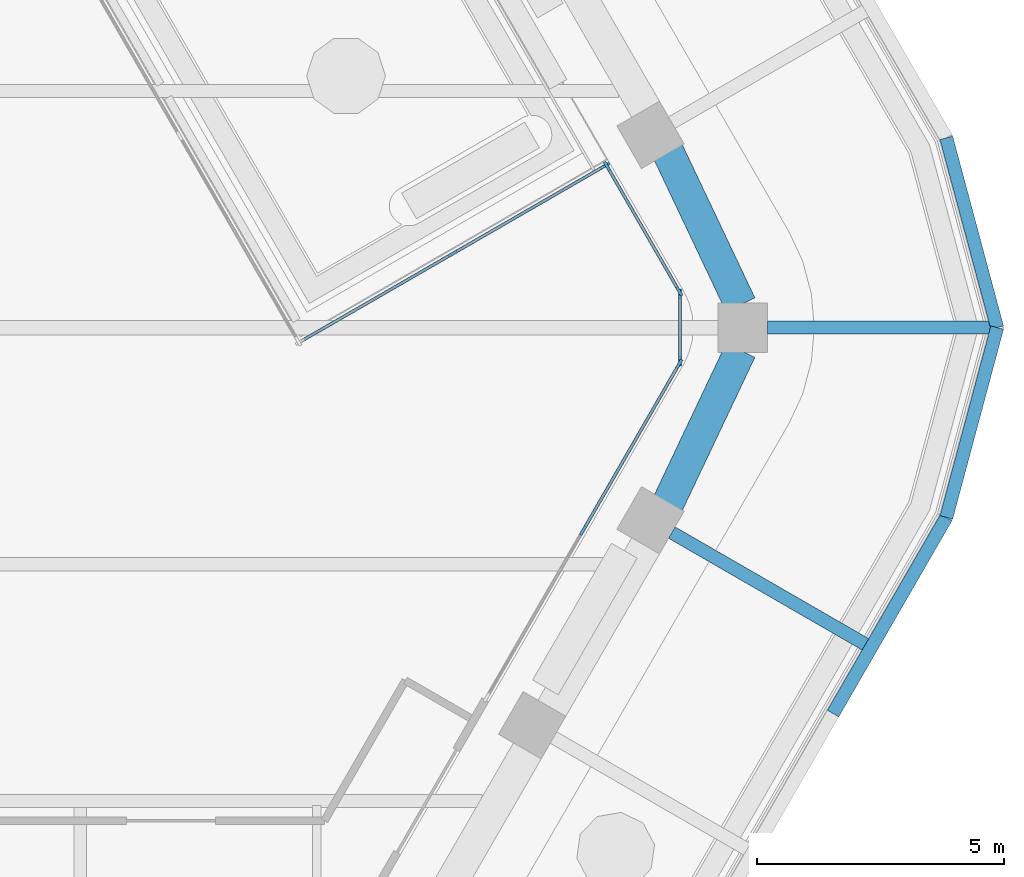
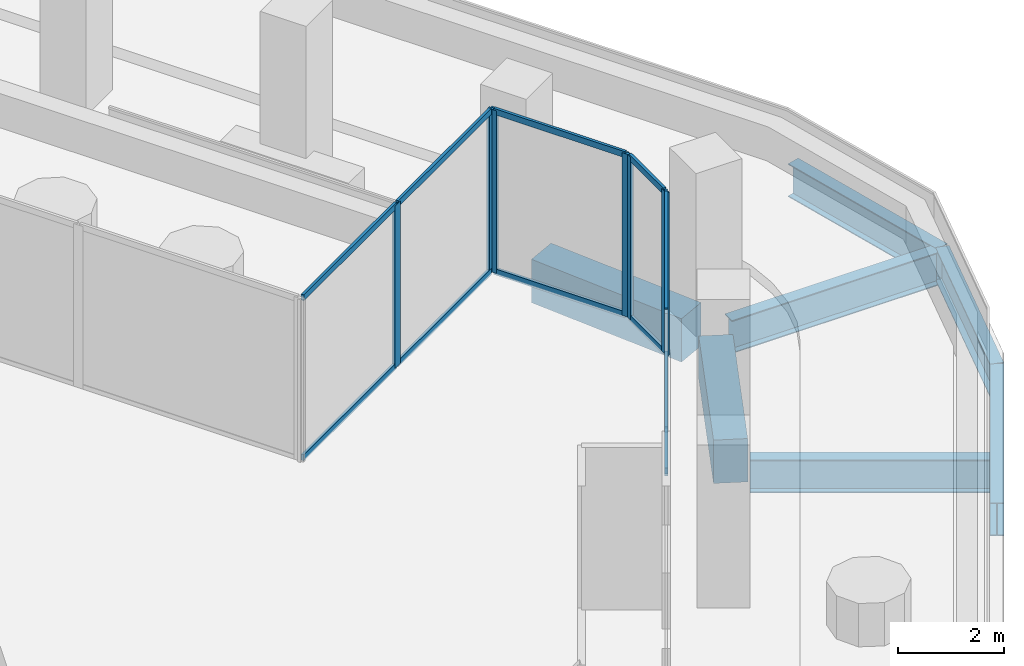
# One storey, part 5 of 17: 18 members, 7 beams, 4 elements without a shape of their own.
"""IFC4 building model written with IfcOpenShell, lengths in metres."""

from ifc_helpers import new_model, si_unit, direction, frame, origin, origin_2d, place, context, subcontext, project, spatial, rectangle, i_section, extrude, material, material_profile, profile_set, type_object, element, aggregate, save


model = new_model("IFC4")

# Units and contexts
model_context = context("Model", 3, precision=1e-05, world=origin(), true_north=direction((0.0, 1.0)))
body_context = subcontext(model_context, "Body", "Model", "MODEL_VIEW")
ifc_project = project(units=[si_unit("LENGTHUNIT", "METRE"), si_unit("AREAUNIT", "SQUARE_METRE"), si_unit("VOLUMEUNIT", "CUBIC_METRE"), si_unit("PLANEANGLEUNIT", "RADIAN"), si_unit("MASSUNIT", "GRAM", prefix="KILO")], contexts=[model_context])

# Site, building, storey
site_placement = place(None, origin())
site = spatial("IfcSite", under=ifc_project, at=site_placement, CompositionType="ELEMENT")
building_placement = place(site_placement, origin())
building = spatial("IfcBuilding", under=site, at=building_placement, Name="Kolab Exchange Tower", CompositionType="ELEMENT")
storey_placement = place(building_placement, frame((0.0, 0.0, 181.699951171875)))
storey = spatial("IfcBuildingStorey", under=building, at=storey_placement, Name="L38", CompositionType="ELEMENT", Elevation=181.699951171875)

# Beams
ifc_material_1 = material(Name="Steel S355", Category="steel")
ifc_material_profile_1 = material_profile(ifc_material_1, i_section(OverallWidth=0.26708984375, OverallDepth=0.761962890625, WebThickness=0.014404296875, FlangeThickness=0.021484375, at=origin_2d()), Name="W760X173")
ifc_profile_set_1 = profile_set([ifc_material_profile_1], Name="Steel S355")
beam_type_1 = type_object("IfcBeamType", Name="FLOOR GIRDER W760X173", PredefinedType="BEAM", material=ifc_profile_set_1)
for number, where, z_axis, x_axis, name in (
    (1, (28.3359375, 0.0, -0.591064453125), (1.0, 0.0, 0.0), (0.0, 1.0, 0.0), "beam/L38/ledge/rib-06"),
    (2, (26.39990234375, -4.156982421875, -0.591064453125), (0.866043881399, -0.499967994467, 0.0), (0.499967994467, 0.866043881399, 0.0), "beam/L38/ledge/rib-07"),
):
    element("IfcBeam", number, at=place(storey_placement, frame(where, z_axis=z_axis, x_axis=x_axis)), inside=storey, type_object=beam_type_1, Name=name, PredefinedType="BEAM", context=body_context, shape_type="SweptSolid", body=[
        extrude(i_section(OverallWidth=0.26708984375, OverallDepth=0.761962890625, WebThickness=0.014404296875, FlangeThickness=0.021484375, at=origin_2d()), origin(), (0.0, 0.0, 1.0), 4.532958984375),
    ])
for number, where, z_axis, x_axis, name in (
    (3, (31.966552734375, 3.848388671875, -0.591064453125), (0.258837161991, -0.965920971701, 0.0), (0.965920971701, 0.258837161991, 0.0), "beam/L38/ledge/edge-07"),
    (4, (32.997802734375, 0.0, -0.591064453125), (-0.258837161991, -0.965920971701, 0.0), (0.965920971701, -0.258837161991, 0.0), "beam/L38/ledge/edge-08"),
):
    element("IfcBeam", number, at=place(storey_placement, frame(where, z_axis=z_axis, x_axis=x_axis)), inside=storey, type_object=beam_type_1, Name=name, PredefinedType="BEAM", context=body_context, shape_type="SweptSolid", body=[
        extrude(i_section(OverallWidth=0.26708984375, OverallDepth=0.761962890625, WebThickness=0.014404296875, FlangeThickness=0.021484375, at=origin_2d()), origin(), (0.0, 0.0, 1.0), 3.984130859375),
    ])
beam_placement = place(storey_placement, frame((31.966552734375, -3.848388671875, -0.591064453125), z_axis=(-0.500003083703, -0.8660236234, 0.0), x_axis=(0.8660236234, -0.500003083703, 0.0)))
element("IfcBeam", 5, at=beam_placement, inside=storey, type_object=beam_type_1, Name="beam/L38/ledge/edge-09", PredefinedType="BEAM", context=body_context, shape_type="SweptSolid", body=[
    extrude(i_section(OverallWidth=0.26708984375, OverallDepth=0.761962890625, WebThickness=0.014404296875, FlangeThickness=0.021484375, at=origin_2d()), origin(), (0.0, 0.0, 1.0), 4.59375),
])
ifc_material_2 = material(Name="Concrete C60/75", Category="concrete")
ifc_material_profile_2 = material_profile(ifc_material_2, rectangle(XDim=0.64990234375, YDim=1.0, at=origin_2d()), Name="RC650X1000")
ifc_profile_set_2 = profile_set([ifc_material_profile_2], Name="Concrete C60/75")
beam_type_2 = type_object("IfcBeamType", Name="SPANDREL BEAM 650X1000 C60/75", PredefinedType="BEAM", material=ifc_profile_set_2)
for number, where, z_axis, x_axis, name in (
    (6, (26.316162109375, 3.5771484375, -0.64990234375), (0.428177731975, -0.903694544545, 0.0), (0.903694544545, 0.428177731975, 0.0), "beam/L38/sp/F2-06"),
    (7, (27.791259765625, -0.4638671875, -0.64990234375), (-0.428177731975, -0.903694544545, 0.0), (0.903694544545, -0.428177731975, 0.0), "beam/L38/sp/F3-01"),
):
    element("IfcBeam", number, at=place(storey_placement, frame(where, z_axis=z_axis, x_axis=x_axis)), inside=storey, type_object=beam_type_2, Name=name, PredefinedType="BEAM", context=body_context, shape_type="SweptSolid", body=[
        extrude(rectangle(XDim=0.64990234375, YDim=1.0, at=origin_2d()), origin(), (0.0, 0.0, 1.0), 3.445068359375),
    ])

# Curtain wall, members
ifc_material_3 = material(Name="Aluminium EN AW-6063 T6", Category="aluminium")
curtain_wall_type = type_object("IfcCurtainWallType", Name="UNITISED UPPER MID ZONE CURTAIN WALL", PredefinedType="NOTDEFINED", material=ifc_material_3)
curtain_wall_1_placement = place(storey_placement, origin())
curtain_wall_1 = element("IfcCurtainWall", 8, at=curtain_wall_1_placement, inside=storey, type_object=curtain_wall_type, Name="cw/L38/F2-rr-1", PredefinedType="NOTDEFINED")
ifc_material_profile_3 = material_profile(ifc_material_3, rectangle(XDim=0.06005859375, YDim=0.199951171875, at=origin_2d()), Name="RECT 60X200")
ifc_profile_set_3 = profile_set([ifc_material_profile_3], Name="Aluminium EN AW-6063 T6")
member_type_1 = type_object("IfcMemberType", Name="UNITISED UPPER MID ZONE MULLION 60 X 200", PredefinedType="MULLION", material=ifc_profile_set_3)
member_1_placement = place(storey_placement, frame((21.9541015625, 1.49755859375, 0.0), z_axis=(0.0, 0.0, 1.0), x_axis=(-0.499999994423, 0.866025407005, 0.0)))
member_1 = element("IfcMember", 9, at=member_1_placement, type_object=member_type_1, Name="CW3 mullion 2", PredefinedType="MULLION", context=body_context, shape_type="SweptSolid", body=[
    extrude(rectangle(XDim=0.06005859375, YDim=0.199951171875, at=origin_2d()), origin(), (0.0, 0.0, 1.0), 3.75),
])
member_2_placement = place(storey_placement, frame((25.045654296875, 3.28271484375, 0.0), z_axis=(0.0, 0.0, 1.0), x_axis=(-0.499999994423, 0.866025407005, 0.0)))
member_2 = element("IfcMember", 10, at=member_2_placement, type_object=member_type_1, Name="CW3 mullion 3", PredefinedType="MULLION", context=body_context, shape_type="SweptSolid", body=[
    extrude(rectangle(XDim=0.06005859375, YDim=0.199951171875, at=origin_2d()), origin(), (0.0, 0.0, 1.0), 3.75),
])

curtain_wall_2_placement = place(storey_placement, origin())
curtain_wall_2 = element("IfcCurtainWall", 11, at=curtain_wall_2_placement, inside=storey, type_object=curtain_wall_type, Name="cw/L38/F2-r-1", PredefinedType="NOTDEFINED")
member_3_placement = place(storey_placement, frame((25.086669921875, 3.271728515625, 0.0), z_axis=(0.0, 0.0, 1.0), x_axis=(0.866025498067, 0.499999836698, 0.0)))
member_3 = element("IfcMember", 12, at=member_3_placement, type_object=member_type_1, Name="CW3 mullion 1", PredefinedType="MULLION", context=body_context, shape_type="SweptSolid", body=[
    extrude(rectangle(XDim=0.06005859375, YDim=0.199951171875, at=origin_2d()), origin(), (0.0, 0.0, 1.0), 3.75),
])
member_4_placement = place(storey_placement, frame((26.550537109375, 0.736083984375, 0.0), z_axis=(0.0, 0.0, 1.0), x_axis=(0.866025498067, 0.499999836698, 0.0)))
member_4 = element("IfcMember", 13, at=member_4_placement, type_object=member_type_1, Name="CW3 mullion 2", PredefinedType="MULLION", context=body_context, shape_type="SweptSolid", body=[
    extrude(rectangle(XDim=0.06005859375, YDim=0.199951171875, at=origin_2d()), origin(), (0.0, 0.0, 1.0), 3.75),
])

curtain_wall_3_placement = place(storey_placement, origin())
curtain_wall_3 = element("IfcCurtainWall", 14, at=curtain_wall_3_placement, inside=storey, type_object=curtain_wall_type, Name="cw/L38/F3-1", PredefinedType="NOTDEFINED")
member_5_placement = place(storey_placement, frame((26.550537109375, -0.736083984375, 0.0), z_axis=(0.0, 0.0, 1.0), x_axis=(0.866025440524, -0.499999936366, 0.0)))
member_5 = element("IfcMember", 15, at=member_5_placement, type_object=member_type_1, Name="CW3 mullion 1", PredefinedType="MULLION", context=body_context, shape_type="SweptSolid", body=[
    extrude(rectangle(XDim=0.06005859375, YDim=0.199951171875, at=origin_2d()), origin(), (0.0, 0.0, 1.0), 3.75),
])
member_6_placement = place(storey_placement, frame((24.5986328125, -4.116943359375, 0.0), z_axis=(0.0, 0.0, 1.0), x_axis=(0.866025440524, -0.499999936366, 0.0)))
member_6 = element("IfcMember", 16, at=member_6_placement, type_object=member_type_1, Name="CW3 mullion 2", PredefinedType="MULLION", context=body_context, shape_type="SweptSolid", body=[
    extrude(rectangle(XDim=0.06005859375, YDim=0.199951171875, at=origin_2d()), origin(), (0.0, 0.0, 1.0), 3.75),
])

curtain_wall_4_placement = place(storey_placement, origin())
curtain_wall_4 = element("IfcCurtainWall", 17, at=curtain_wall_4_placement, inside=storey, type_object=curtain_wall_type, Name="cw/L38/F2F3-corner", PredefinedType="NOTDEFINED")
member_7_placement = place(storey_placement, frame((26.565673828125, 0.679931640625, 0.0), z_axis=(0.0, 0.0, 1.0), x_axis=(1.0, 0.0, 0.0)))
member_7 = element("IfcMember", 18, at=member_7_placement, type_object=member_type_1, Name="CW3 mullion 1", PredefinedType="MULLION", context=body_context, shape_type="SweptSolid", body=[
    extrude(rectangle(XDim=0.06005859375, YDim=0.199951171875, at=origin_2d()), origin(), (0.0, 0.0, 1.0), 3.75),
])
member_8_placement = place(storey_placement, frame((26.565673828125, -0.679931640625, 0.0), z_axis=(0.0, 0.0, 1.0), x_axis=(1.0, 0.0, 0.0)))
member_8 = element("IfcMember", 19, at=member_8_placement, type_object=member_type_1, Name="CW3 mullion 2", PredefinedType="MULLION", context=body_context, shape_type="SweptSolid", body=[
    extrude(rectangle(XDim=0.06005859375, YDim=0.199951171875, at=origin_2d()), origin(), (0.0, 0.0, 1.0), 3.75),
])

# Member
ifc_material_profile_4 = material_profile(ifc_material_3, rectangle(XDim=0.06005859375, YDim=0.139892578125, at=origin_2d()), Name="RECT 60X140")
ifc_profile_set_4 = profile_set([ifc_material_profile_4], Name="Aluminium EN AW-6063 T6")
member_type_2 = type_object("IfcMemberType", Name="UNITISED UPPER MID ZONE TRANSOM 60 X 140", PredefinedType="USERDEFINED", material=ifc_profile_set_4)
member_9_placement = place(storey_placement, frame((18.88818359375, -0.2724609375, 0.030029296875), z_axis=(0.866013001128, 0.500021481416, 0.0), x_axis=(-0.500021481416, 0.866013001128, 0.0)))
member_9 = element("IfcMember", 20, at=member_9_placement, type_object=member_type_2, Name="CW3 transom 1.1", ObjectType="TRANSOM", PredefinedType="USERDEFINED", context=body_context, shape_type="SweptSolid", body=[
    extrude(rectangle(XDim=0.06005859375, YDim=0.139892578125, at=origin_2d()), origin(), (0.0, 0.0, 1.0), 3.510009765625),
])

member_10_placement = place(storey_placement, frame((18.88818359375, -0.2724609375, 3.719970703125), z_axis=(0.866013001128, 0.500021481416, 0.0), x_axis=(-0.500021481416, 0.866013001128, 0.0)))
member_10 = element("IfcMember", 21, at=member_10_placement, type_object=member_type_2, Name="CW3 transom 1.2", ObjectType="TRANSOM", PredefinedType="USERDEFINED", context=body_context, shape_type="SweptSolid", body=[
    extrude(rectangle(XDim=0.06005859375, YDim=0.139892578125, at=origin_2d()), origin(), (0.0, 0.0, 1.0), 3.510009765625),
])

member_11_placement = place(storey_placement, frame((21.97998046875, 1.5126953125, 0.030029296875), z_axis=(0.866043119098, 0.499969314921, 0.0), x_axis=(-0.499969314921, 0.866043119098, 0.0)))
member_11 = element("IfcMember", 22, at=member_11_placement, type_object=member_type_2, Name="CW3 transom 2.1", ObjectType="TRANSOM", PredefinedType="USERDEFINED", context=body_context, shape_type="SweptSolid", body=[
    extrude(rectangle(XDim=0.06005859375, YDim=0.139892578125, at=origin_2d()), origin(), (0.0, 0.0, 1.0), 3.510009765625),
])

member_12_placement = place(storey_placement, frame((21.97998046875, 1.5126953125, 3.719970703125), z_axis=(0.866043119098, 0.499969314921, 0.0), x_axis=(-0.499969314921, 0.866043119098, 0.0)))
member_12 = element("IfcMember", 23, at=member_12_placement, type_object=member_type_2, Name="CW3 transom 2.2", ObjectType="TRANSOM", PredefinedType="USERDEFINED", context=body_context, shape_type="SweptSolid", body=[
    extrude(rectangle(XDim=0.06005859375, YDim=0.139892578125, at=origin_2d()), origin(), (0.0, 0.0, 1.0), 3.510009765625),
])

aggregate(curtain_wall_1, [member_1, member_2, member_9, member_10, member_11, member_12])

member_13_placement = place(storey_placement, frame((25.1015625, 3.24560546875, 0.030029296875), z_axis=(0.500039310002, -0.866002706955, 0.0), x_axis=(0.866002706955, 0.500039310002, 0.0)))
member_13 = element("IfcMember", 24, at=member_13_placement, type_object=member_type_2, Name="CW3 transom 1.1", ObjectType="TRANSOM", PredefinedType="USERDEFINED", context=body_context, shape_type="SweptSolid", body=[
    extrude(rectangle(XDim=0.06005859375, YDim=0.139892578125, at=origin_2d()), origin(), (0.0, 0.0, 1.0), 2.867919921875),
])

member_14_placement = place(storey_placement, frame((25.1015625, 3.24560546875, 3.719970703125), z_axis=(0.500039310002, -0.866002706955, 0.0), x_axis=(0.866002706955, 0.500039310002, 0.0)))
member_14 = element("IfcMember", 25, at=member_14_placement, type_object=member_type_2, Name="CW3 transom 1.2", ObjectType="TRANSOM", PredefinedType="USERDEFINED", context=body_context, shape_type="SweptSolid", body=[
    extrude(rectangle(XDim=0.06005859375, YDim=0.139892578125, at=origin_2d()), origin(), (0.0, 0.0, 1.0), 2.867919921875),
])

aggregate(curtain_wall_2, [member_3, member_4, member_13, member_14])

member_15_placement = place(storey_placement, frame((26.53564453125, -0.761962890625, 0.030029296875), z_axis=(-0.499991857942, -0.866030104553, 0.0), x_axis=(0.866030104553, -0.499991857942, 0.0)))
member_15 = element("IfcMember", 26, at=member_15_placement, type_object=member_type_2, Name="CW3 transom 1.1", ObjectType="TRANSOM", PredefinedType="USERDEFINED", context=body_context, shape_type="SweptSolid", body=[
    extrude(rectangle(XDim=0.06005859375, YDim=0.139892578125, at=origin_2d()), origin(), (0.0, 0.0, 1.0), 3.84375),
])

member_16_placement = place(storey_placement, frame((26.53564453125, -0.761962890625, 3.719970703125), z_axis=(-0.499991857942, -0.866030104553, 0.0), x_axis=(0.866030104553, -0.499991857942, 0.0)))
member_16 = element("IfcMember", 27, at=member_16_placement, type_object=member_type_2, Name="CW3 transom 1.2", ObjectType="TRANSOM", PredefinedType="USERDEFINED", context=body_context, shape_type="SweptSolid", body=[
    extrude(rectangle(XDim=0.06005859375, YDim=0.139892578125, at=origin_2d()), origin(), (0.0, 0.0, 1.0), 3.84375),
])

aggregate(curtain_wall_3, [member_5, member_6, member_15, member_16])

member_17_placement = place(storey_placement, frame((26.565673828125, 0.64990234375, 0.030029296875), z_axis=(0.0, -1.0, 0.0), x_axis=(1.0, 0.0, 0.0)))
member_17 = element("IfcMember", 28, at=member_17_placement, type_object=member_type_2, Name="CW3 transom 1.1", ObjectType="TRANSOM", PredefinedType="USERDEFINED", context=body_context, shape_type="SweptSolid", body=[
    extrude(rectangle(XDim=0.06005859375, YDim=0.139892578125, at=origin_2d()), origin(), (0.0, 0.0, 1.0), 1.2998046875),
])

member_18_placement = place(storey_placement, frame((26.565673828125, 0.64990234375, 3.719970703125), z_axis=(0.0, -1.0, 0.0), x_axis=(1.0, 0.0, 0.0)))
member_18 = element("IfcMember", 29, at=member_18_placement, type_object=member_type_2, Name="CW3 transom 1.2", ObjectType="TRANSOM", PredefinedType="USERDEFINED", context=body_context, shape_type="SweptSolid", body=[
    extrude(rectangle(XDim=0.06005859375, YDim=0.139892578125, at=origin_2d()), origin(), (0.0, 0.0, 1.0), 1.2998046875),
])

aggregate(curtain_wall_4, [member_7, member_8, member_17, member_18])

save(model, "model.ifc")
